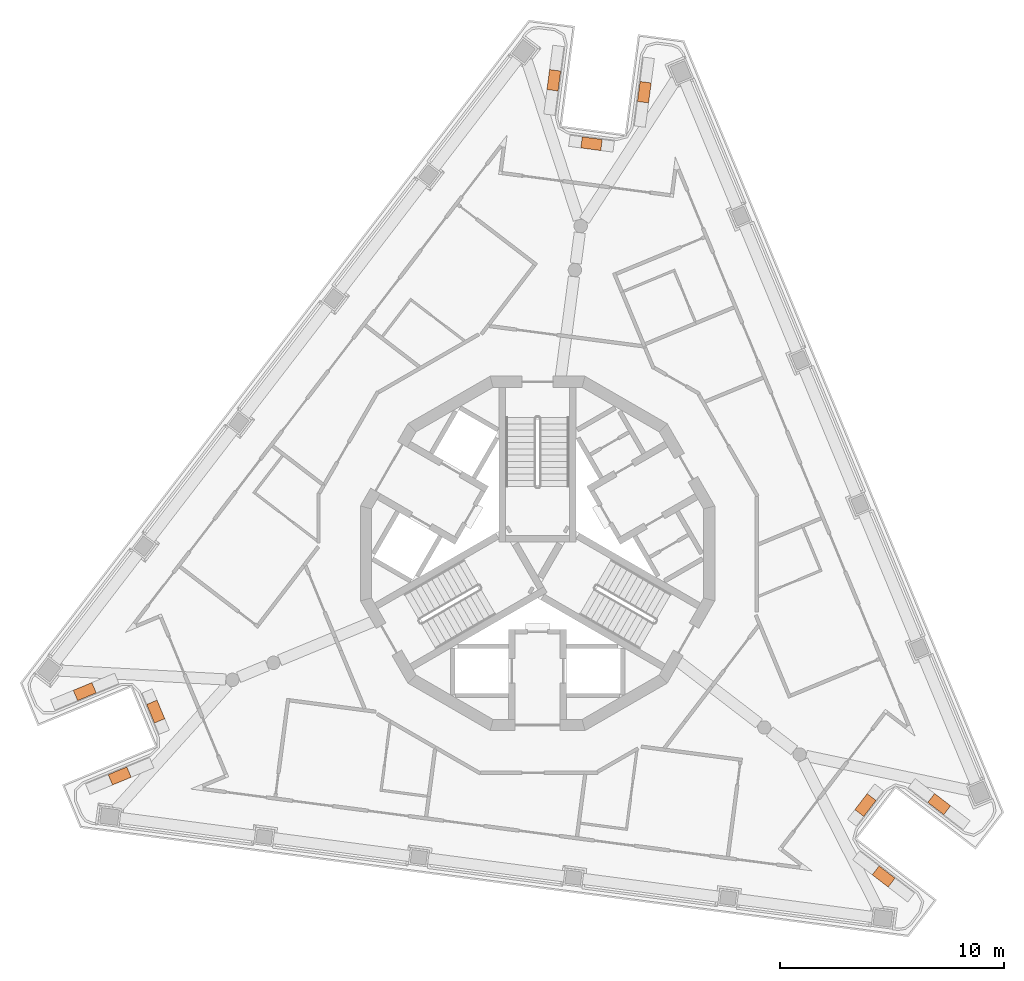
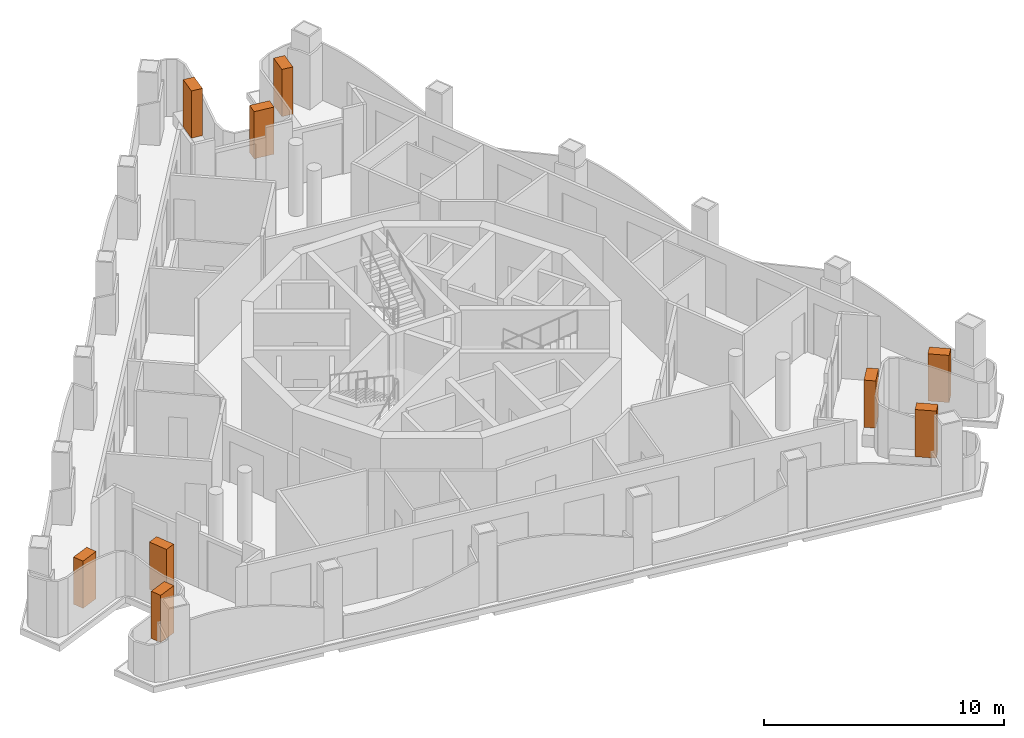
# One storey, part 12 of 12: 9 geographic elements.
"""IFC4 building model written with IfcOpenShell, lengths in metres."""

from ifc_helpers import new_model, si_unit, direction, frame, origin, origin_2d, place, context, subcontext, project, spatial, rectangle, extrude, element, save


model = new_model("IFC4")

# Units and contexts
model_context = context("Model", 3, precision=1e-05, world=origin(), true_north=direction((0.0, 1.0)))
body_context = subcontext(model_context, "Body", "Model", "MODEL_VIEW")
ifc_project = project(units=[si_unit("LENGTHUNIT", "METRE"), si_unit("AREAUNIT", "SQUARE_METRE"), si_unit("VOLUMEUNIT", "CUBIC_METRE"), si_unit("PLANEANGLEUNIT", "RADIAN"), si_unit("MASSUNIT", "GRAM", prefix="KILO")], contexts=[model_context])

# Site, building, storey
site_placement = place(None, origin())
site = spatial("IfcSite", under=ifc_project, at=site_placement, CompositionType="ELEMENT")
building_placement = place(site_placement, origin())
building = spatial("IfcBuilding", under=site, at=building_placement, Name="Trine Commons Tower", CompositionType="ELEMENT")
storey_placement = place(building_placement, frame((0.0, 0.0, 293.39990234375)))
storey = spatial("IfcBuildingStorey", under=building, at=storey_placement, Name="L77", CompositionType="ELEMENT", Elevation=293.39990234375)

# Geographic elements
for number, where, z_axis, x_axis, name in (
    (1, (61.31982421875, 52.554443359375, 0.60009765625), (0.0, 0.0, 1.0), (0.923885543575, 0.382668920052, 0.0), "Tree 1.1"),
    (2, (62.93212890625, 55.430419921875, 0.60009765625), (0.0, 0.0, 1.0), (-0.382688269782, 0.923877528773, 0.0), "Tree 2.1"),
    (3, (59.758544921875, 56.32373046875, 0.60009765625), (0.0, 0.0, 1.0), (-0.923885543575, -0.382668920052, 0.0), "Tree 3.1"),
    (4, (80.726806640625, 83.650146484375, 0.60009765625), (0.0, 0.0, 1.0), (-0.130514079426, -0.991446455978, 0.0), "Tree 4.1"),
    (5, (82.411376953125, 80.816162109375, 0.60009765625), (0.0, 0.0, 1.0), (0.991442583111, -0.130543496177, 0.0), "Tree 5.1"),
    (6, (84.77197265625, 83.11767578125, 0.60009765625), (0.0, 0.0, 1.0), (0.130517540226, 0.991446000392, 0.0), "Tree 6.1"),
    (7, (97.953125, 51.29541015625, 0.60009765625), (0.0, 0.0, 1.0), (-0.793348027815, 0.6087683523, 0.0), "Tree 7.1"),
    (8, (94.656494140625, 51.253662109375, 0.60009765625), (0.0, 0.0, 1.0), (-0.608764198331, -0.793351215308, 0.0), "Tree 8.1"),
    (9, (95.469482421875, 48.05859375, 0.60009765625), (0.0, 0.0, 1.0), (0.793348027815, -0.6087683523, 0.0), "Tree 9.1"),
):
    element("IfcGeographicElement", number, at=place(storey_placement, frame(where, z_axis=z_axis, x_axis=x_axis)), inside=storey, Name=name, ObjectType="TREE Tabebuia rosea", PredefinedType="USERDEFINED", context=body_context, shape_type="SweptSolid", body=[
        extrude(rectangle(XDim=0.89990234375, YDim=0.5, at=origin_2d()), origin(), (0.0, 0.0, 1.0), 2.39990234375),
    ])

save(model, "model.ifc")
